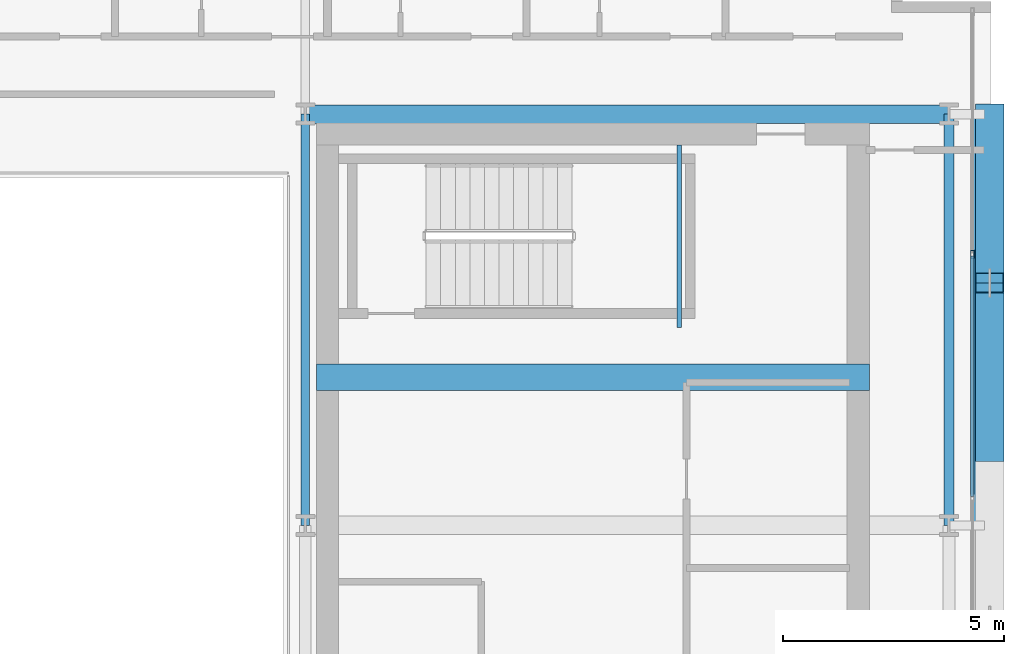
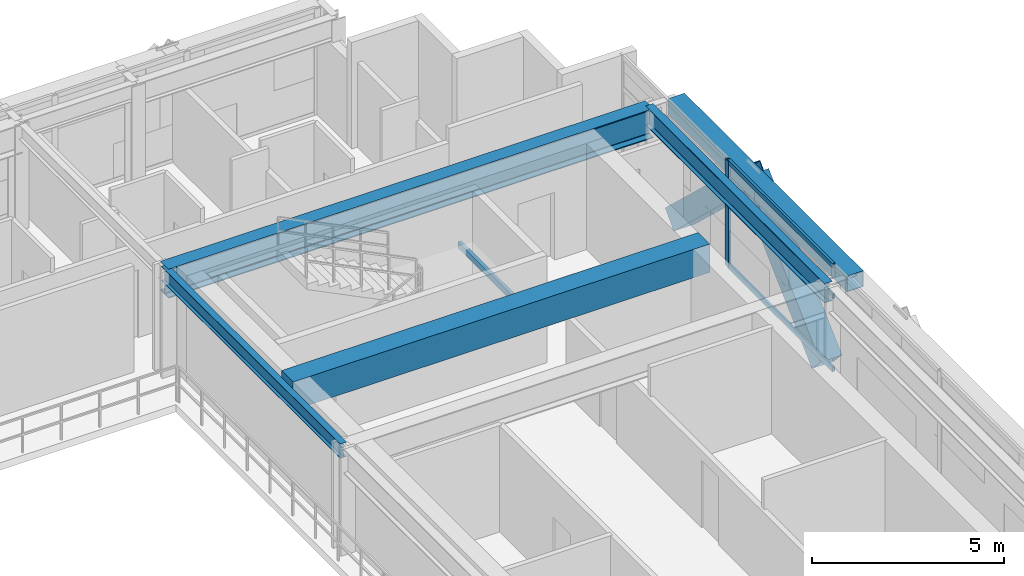
# One storey, part 14 of 32: 6 beams, 6 members, 1 element without a shape of its own.
"""IFC4 building model written with IfcOpenShell, lengths in metres."""

from ifc_helpers import new_model, si_unit, direction, frame, origin, origin_2d, place, context, subcontext, project, spatial, rectangle, hollow_rectangle, i_section, extrude, source, transform, mapped, material, layer, layer_set, material_profile, profile_set, type_object, element, aggregate, save


model = new_model("IFC4")

# Units and contexts
model_context = context("Model", 3, precision=1e-05, world=origin(), true_north=direction((0.0, 1.0)))
body_context = subcontext(model_context, "Body", "Model", "MODEL_VIEW")
ifc_project = project(units=[si_unit("LENGTHUNIT", "METRE"), si_unit("AREAUNIT", "SQUARE_METRE"), si_unit("VOLUMEUNIT", "CUBIC_METRE"), si_unit("PLANEANGLEUNIT", "RADIAN"), si_unit("MASSUNIT", "GRAM", prefix="KILO")], contexts=[model_context])

# Site, building, storey
site_placement = place(None, origin())
site = spatial("IfcSite", under=ifc_project, at=site_placement, CompositionType="ELEMENT")
building_placement = place(site_placement, origin())
building = spatial("IfcBuilding", under=site, at=building_placement, Name="Ocotamira Hotel", CompositionType="ELEMENT")
storey_placement = place(building_placement, frame((0.0, 0.0, 166.800048828125)))
storey = spatial("IfcBuildingStorey", under=building, at=storey_placement, Name="L41", CompositionType="ELEMENT", Elevation=166.800048828125)

# Beams
ifc_material_1 = material(Name="Concrete C50/60", Category="concrete")
ifc_material_profile_1 = material_profile(ifc_material_1, rectangle(XDim=0.60009765625, YDim=0.89990234375, at=origin_2d()), Name="RC600X900")
ifc_profile_set_1 = profile_set([ifc_material_profile_1], Name="Concrete C50/60")
beam_type_1 = type_object("IfcBeamType", Name="BM-LINK-RC600", PredefinedType="LINTEL", material=ifc_profile_set_1)
shared_shape_1 = source(origin(), body_context, "Body", "SweptSolid", [
    extrude(rectangle(XDim=0.60009765625, YDim=0.89990234375, at=origin_2d()), origin(), (0.0, 0.0, 1.0), 12.5),
])
beam_1_placement = place(storey_placement, frame((40.75, 31.5, 2.919921875), z_axis=(1.0, 0.0, 0.0), x_axis=(0.0, 1.0, 0.0)))
element("IfcBeam", 1, at=beam_1_placement, inside=storey, type_object=beam_type_1, Name="L41 East Core Coupling Beam", PredefinedType="LINTEL", context=body_context, shape_type="MappedRepresentation", body=[
    mapped(shared_shape_1, transform((0.0, 0.0, 0.0), scale=1.0)),
])
ifc_material_2 = material(Name="Steel ASTM A500 Grade C", Category="steel")
ifc_material_profile_2 = material_profile(ifc_material_2, hollow_rectangle(XDim=0.10009765625, YDim=0.199951171875, WallThickness=0.008056640625, at=origin_2d()), Name="HSS200X100X8")
ifc_profile_set_2 = profile_set([ifc_material_profile_2], Name="Steel ASTM A500 Grade C")
beam_type_2 = type_object("IfcBeamType", Name="BM-STLDG-HSS200", PredefinedType="BEAM", material=ifc_profile_set_2)
shared_shape_2 = source(origin(), body_context, "Body", "SweptSolid", [
    extrude(hollow_rectangle(XDim=0.10009765625, YDim=0.199951171875, WallThickness=0.008056640625, at=origin_2d()), origin(), (0.0, 0.0, 1.0), 4.1201171875),
])
beam_2_placement = place(storey_placement, frame((48.949951171875, 32.6298828125, 1.5), z_axis=(0.0, 1.0, 0.0), x_axis=(-1.0, 0.0, 0.0)))
element("IfcBeam", 2, at=beam_2_placement, inside=storey, type_object=beam_type_2, Name="L41 Stair ST-4 Landing Bearer 1", PredefinedType="BEAM", context=body_context, shape_type="MappedRepresentation", body=[
    mapped(shared_shape_2, transform((0.0, 0.0, 0.0), scale=1.0)),
])
ifc_material_3 = material(Name="Steel ASTM A992 Grade 50", Category="steel")
ifc_material_profile_3 = material_profile(ifc_material_3, i_section(OverallWidth=0.41796875, OverallDepth=0.927001953125, WebThickness=0.019287109375, FlangeThickness=0.031982421875, FilletRadius=0.02392578125, at=origin_2d()), Name="W36X231")
ifc_profile_set_3 = profile_set([ifc_material_profile_3], Name="Steel ASTM A992 Grade 50")
beam_type_3 = type_object("IfcBeamType", Name="BM-GIRD-W36X231", PredefinedType="BEAM", material=ifc_profile_set_3)
shared_shape_3 = source(origin(), body_context, "Body", "SweptSolid", [
    extrude(i_section(OverallWidth=0.41796875, OverallDepth=0.927001953125, WebThickness=0.019287109375, FlangeThickness=0.031982421875, FilletRadius=0.02392578125, at=origin_2d()), origin(), (0.0, 0.0, 1.0), 14.550048828125),
])
beam_3_placement = place(storey_placement, frame((40.5, 37.449951171875, 2.906494140625), z_axis=(1.0, 0.0, 0.0), x_axis=(0.0, 1.0, 0.0)))
element("IfcBeam", 3, at=beam_3_placement, inside=storey, type_object=beam_type_3, Name="L41 Girder Y37.45 X40.5-55.05", PredefinedType="BEAM", context=body_context, shape_type="MappedRepresentation", body=[
    mapped(shared_shape_3, transform((0.0, 0.0, 0.0), scale=1.0)),
])
ifc_material_profile_4 = material_profile(ifc_material_3, i_section(OverallWidth=0.22998046875, OverallDepth=0.616943359375, WebThickness=0.01318359375, FlangeThickness=0.022216796875, FilletRadius=0.012939453125, at=origin_2d()), Name="W24X94")
ifc_profile_set_4 = profile_set([ifc_material_profile_4], Name="Steel ASTM A992 Grade 50")
beam_type_4 = type_object("IfcBeamType", Name="BM-PRIM-W24X94", PredefinedType="BEAM", material=ifc_profile_set_4)
shared_shape_4 = source(origin(), body_context, "Body", "SweptSolid", [
    extrude(i_section(OverallWidth=0.22998046875, OverallDepth=0.616943359375, WebThickness=0.01318359375, FlangeThickness=0.022216796875, FilletRadius=0.012939453125, at=origin_2d()), origin(), (0.0, 0.0, 1.0), 9.300048828125),
])
beam_4_placement = place(storey_placement, frame((55.050048828125, 28.14990234375, 3.0615234375), z_axis=(0.0, 1.0, 0.0), x_axis=(-1.0, 0.0, 0.0)))
element("IfcBeam", 4, at=beam_4_placement, inside=storey, type_object=beam_type_4, Name="L41 Beam X55.05 Y28.15-37.45", PredefinedType="BEAM", context=body_context, shape_type="MappedRepresentation", body=[
    mapped(shared_shape_4, transform((0.0, 0.0, 0.0), scale=1.0)),
])
ifc_material_profile_5 = material_profile(ifc_material_3, i_section(OverallWidth=0.18994140625, OverallDepth=0.45703125, WebThickness=0.009033203125, FlangeThickness=0.014404296875, FilletRadius=0.010009765625, at=origin_2d()), Name="W18X50")
ifc_profile_set_5 = profile_set([ifc_material_profile_5], Name="Steel ASTM A992 Grade 50")
beam_type_5 = type_object("IfcBeamType", Name="BM-SEC-W18X50", PredefinedType="JOIST", material=ifc_profile_set_5)
shared_shape_5 = source(origin(), body_context, "Body", "SweptSolid", [
    extrude(i_section(OverallWidth=0.18994140625, OverallDepth=0.45703125, WebThickness=0.009033203125, FlangeThickness=0.014404296875, FilletRadius=0.010009765625, at=origin_2d()), origin(), (0.0, 0.0, 1.0), 9.300048828125),
])
beam_5_placement = place(storey_placement, frame((40.5, 28.14990234375, 3.141357421875), z_axis=(0.0, 1.0, 0.0), x_axis=(-1.0, 0.0, 0.0)))
element("IfcBeam", 5, at=beam_5_placement, inside=storey, type_object=beam_type_5, Name="L41 Beam X40.5 Y28.15-37.45", PredefinedType="JOIST", context=body_context, shape_type="MappedRepresentation", body=[
    mapped(shared_shape_5, transform((0.0, 0.0, 0.0), scale=1.0)),
])
ifc_material_profile_6 = material_profile(ifc_material_2, hollow_rectangle(XDim=0.5, YDim=0.5, WallThickness=0.02001953125, at=origin_2d()), Name="HSS500X500X20")
ifc_profile_set_6 = profile_set([ifc_material_profile_6], Name="Steel ASTM A500 Grade C")
beam_type_6 = type_object("IfcBeamType", Name="BM-SPAN-HSS500", PredefinedType="USERDEFINED", material=ifc_profile_set_6)
shared_shape_6 = source(origin(), body_context, "Body", "SweptSolid", [
    extrude(hollow_rectangle(XDim=0.5, YDim=0.5, WallThickness=0.02001953125, at=origin_2d()), origin(), (0.0, 0.0, 1.0), 9.300048828125),
])
beam_6_placement = place(storey_placement, frame((55.85009765625, 28.14990234375, 3.119873046875), z_axis=(0.0, 1.0, 0.0), x_axis=(-1.0, 0.0, 0.0)))
element("IfcBeam", 6, at=beam_6_placement, inside=storey, type_object=beam_type_6, Name="L41 Edge Spandrel E Y28.15-37.45", ObjectType="SPANDREL", PredefinedType="USERDEFINED", context=body_context, shape_type="MappedRepresentation", body=[
    mapped(shared_shape_6, transform((0.0, 0.0, 0.0), scale=1.0)),
])

# Members
ifc_material_4 = material(Name="Pale-metal coated steel ASTM A913 Grade 65", Category="steel")
ifc_material_profile_7 = material_profile(ifc_material_4, hollow_rectangle(XDim=0.64990234375, YDim=0.64990234375, WallThickness=0.02197265625, at=origin_2d()), Name="BOX650X650X22")
ifc_profile_set_7 = profile_set([ifc_material_profile_7], Name="Pale-metal coated steel ASTM A913 Grade 65")
member_type_1 = type_object("IfcMemberType", Name="MEM-EXO-BOX650", PredefinedType="BRACE", material=ifc_profile_set_7)
shared_shape_7 = source(origin(), body_context, "Body", "SweptSolid", [
    extrude(hollow_rectangle(XDim=0.64990234375, YDim=0.64990234375, WallThickness=0.02197265625, at=origin_2d()), origin(), (0.0, 0.0, 1.0), 5.24658203125),
])
for number, where, z_axis, x_axis, name in (
    (7, (55.969970703125, 29.816650390625, -0.47998046875), (0.0, 0.72746596067, 0.686143772154), (-1.0, 0.0, 0.0), "L41 Exoskeleton Diagrid E2.1"),
    (8, (55.969970703125, 37.449951171875, -0.47998046875), (0.0, -0.72746596067, 0.686143772154), (1.0, 0.0, 0.0), "L41 Exoskeleton Diagrid E2.2"),
):
    element("IfcMember", number, at=place(storey_placement, frame(where, z_axis=z_axis, x_axis=x_axis)), inside=storey, type_object=member_type_1, Name=name, PredefinedType="BRACE", context=body_context, shape_type="MappedRepresentation", body=[
        mapped(shared_shape_7, transform((0.0, 0.0, 0.0), scale=1.0)),
    ])

# Curtain wall, members
ifc_material_5 = material(Name="Anodised pale-metal aluminium and solar glass", Category="aluminium")
ifc_layer = layer(ifc_material_5, 0.199951171875)
ifc_layer_set = layer_set([ifc_layer], Name="Anodised pale-metal aluminium and solar glass")
curtain_wall_type = type_object("IfcCurtainWallType", Name="CW-SYS4-Z3", PredefinedType="NOTDEFINED", material=ifc_layer_set)
curtain_wall_placement = place(storey_placement, origin())
curtain_wall = element("IfcCurtainWall", 9, at=curtain_wall_placement, inside=storey, type_object=curtain_wall_type, Name="L41 Curtain Wall CW-4 CW-L41-E", PredefinedType="NOTDEFINED")
ifc_material_6 = material(Name="Anodised pale-metal aluminium 6063-T6", Category="aluminium")
ifc_material_profile_8 = material_profile(ifc_material_6, hollow_rectangle(XDim=0.074951171875, YDim=0.14990234375, WallThickness=0.006103515625, at=origin_2d()), Name="HSS150X75X6")
ifc_profile_set_8 = profile_set([ifc_material_profile_8], Name="Anodised pale-metal aluminium 6063-T6")
member_type_2 = type_object("IfcMemberType", Name="CWT-150X75", PredefinedType="USERDEFINED", material=ifc_profile_set_8)
shared_shape_8 = source(origin(), body_context, "Body", "SweptSolid", [
    extrude(hollow_rectangle(XDim=0.074951171875, YDim=0.14990234375, WallThickness=0.006103515625, at=origin_2d()), origin(), (0.0, 0.0, 1.0), 5.43994140625),
])
member_1_placement = place(storey_placement, frame((55.580078125, 28.800048828125, 0.037353515625), z_axis=(0.0, 1.0, 0.0), x_axis=(-1.0, 0.0, 0.0)))
member_1 = element("IfcMember", 10, at=member_1_placement, type_object=member_type_2, Name="CW-4 transom 4.1", ObjectType="TRANSOM", PredefinedType="USERDEFINED", context=body_context, shape_type="MappedRepresentation", body=[
    mapped(shared_shape_8, transform((0.0, 0.0, 0.0), scale=1.0)),
])
member_2_placement = place(storey_placement, frame((55.580078125, 28.800048828125, 2.349853515625), z_axis=(0.0, 1.0, 0.0), x_axis=(-1.0, 0.0, 0.0)))
member_2 = element("IfcMember", 11, at=member_2_placement, type_object=member_type_2, Name="CW-4 transom 4.2", ObjectType="TRANSOM", PredefinedType="USERDEFINED", context=body_context, shape_type="MappedRepresentation", body=[
    mapped(shared_shape_8, transform((0.0, 0.0, 0.0), scale=1.0)),
])
member_3_placement = place(storey_placement, frame((55.580078125, 28.800048828125, 3.33251953125), z_axis=(0.0, 1.0, 0.0), x_axis=(-1.0, 0.0, 0.0)))
member_3 = element("IfcMember", 12, at=member_3_placement, type_object=member_type_2, Name="CW-4 transom 4.3", ObjectType="TRANSOM", PredefinedType="USERDEFINED", context=body_context, shape_type="MappedRepresentation", body=[
    mapped(shared_shape_8, transform((0.0, 0.0, 0.0), scale=1.0)),
])
ifc_material_profile_9 = material_profile(ifc_material_6, hollow_rectangle(XDim=0.080078125, YDim=0.179931640625, WallThickness=0.006103515625, at=origin_2d()), Name="HSS180X80X6")
ifc_profile_set_9 = profile_set([ifc_material_profile_9], Name="Anodised pale-metal aluminium 6063-T6")
member_type_3 = type_object("IfcMemberType", Name="CWM-180X75", PredefinedType="MULLION", material=ifc_profile_set_9)
shared_shape_9 = source(origin(), body_context, "Body", "SweptSolid", [
    extrude(hollow_rectangle(XDim=0.080078125, YDim=0.179931640625, WallThickness=0.006103515625, at=origin_2d()), origin(), (0.0, 0.0, 1.0), 3.369873046875),
])
member_4_placement = place(storey_placement, frame((55.580078125, 34.280029296875, 0.0), z_axis=(0.0, 0.0, 1.0), x_axis=(-1.0, 0.0, 0.0)))
member_4 = element("IfcMember", 13, at=member_4_placement, type_object=member_type_3, Name="CW-4 mullion 5", PredefinedType="MULLION", context=body_context, shape_type="MappedRepresentation", body=[
    mapped(shared_shape_9, transform((0.0, 0.0, 0.0), scale=1.0)),
])
aggregate(curtain_wall, [member_4, member_1, member_2, member_3])

save(model, "model.ifc")
